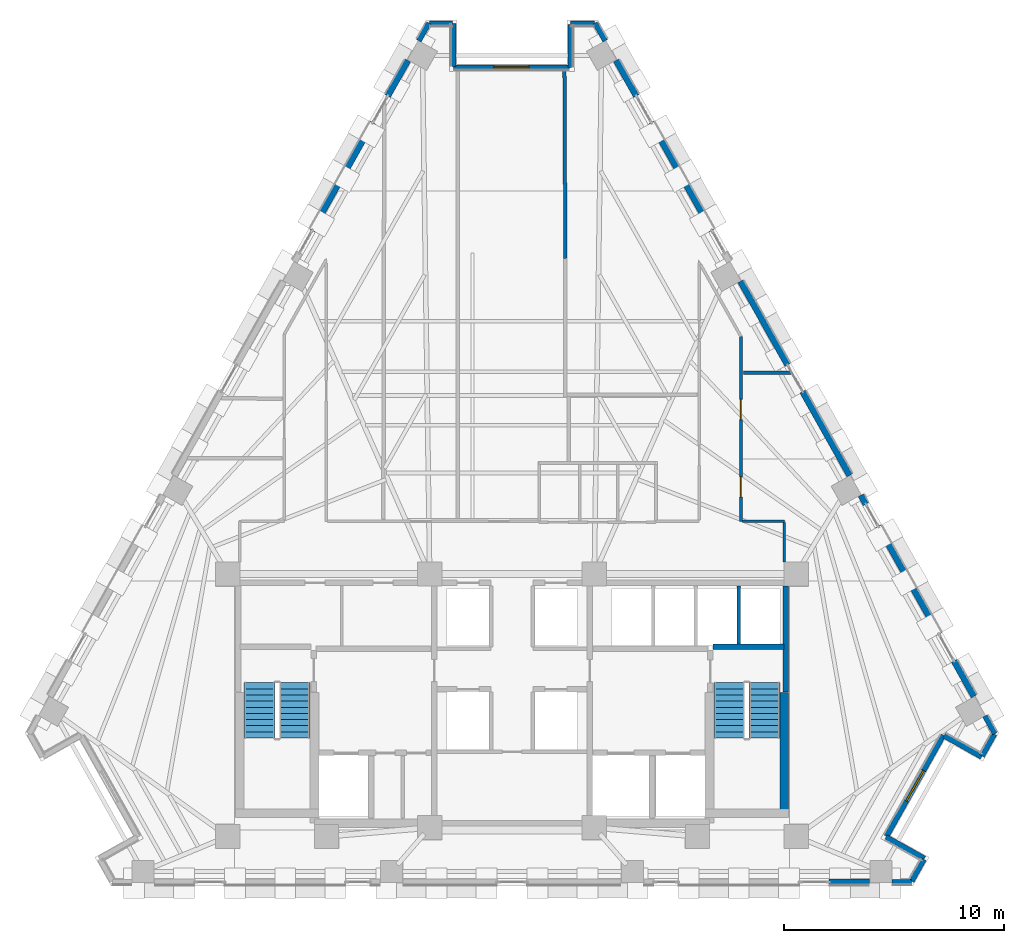
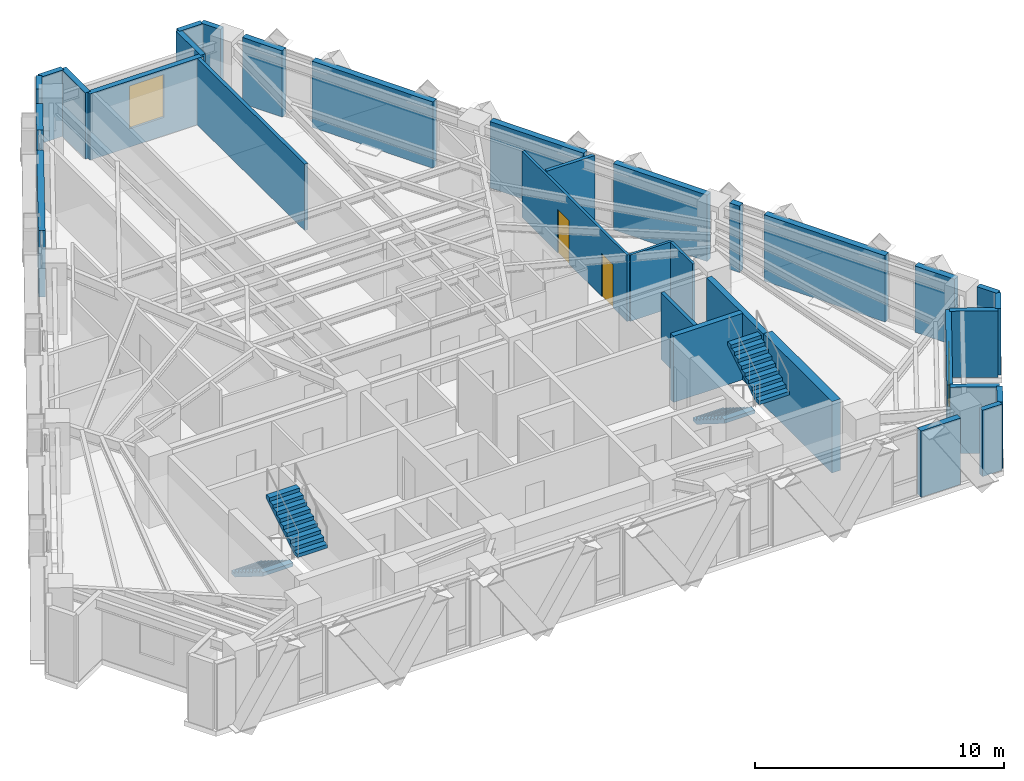
# One storey, part 9 of 13: 33 walls, 4 stair flights, 2 doors, 2 windows, 4 openings, 2 elements without a shape of their own.
"""IFC4 building model written with IfcOpenShell, lengths in metres."""

import ifcopenshell
import ifcopenshell.guid

model = None  # the IFC model being written
_history = None  # IfcOwnerHistory: only IFC2X3 demands one
_inside = {}  # id of a spatial element -> (the spatial element, [elements in it])
_under = {}  # id of a project, library or spatial element -> (it, [spatial elements below it])
_declared = {}  # id of a project -> (the project, [libraries it declares])
_typed = {}  # id of a type object -> (the type object, [elements of that type])
_made_of = {}  # id of a material, layer set ... -> (it, [elements and type objects made of it])


def new_model(schema):
    """Start an empty IFC model of exactly this schema.

    Asked for "IFC4X3", IfcOpenShell would pick the latest addendum, in which some entities
    have other attributes; the version numbers below select the first issue.
    IFC2X3 requires an IfcOwnerHistory on every rooted entity: one is made here for all.
    """
    global model, _history
    if schema == "IFC4X3":
        model = ifcopenshell.file(schema_version=(4, 3, 0, 0))
    else:
        model = ifcopenshell.file(schema=schema)
    _inside.clear()
    _under.clear()
    _declared.clear()
    _typed.clear()
    _made_of.clear()
    _history = None
    if model.schema == "IFC2X3":
        org = make("IfcOrganization", Name="unknown")
        user = make(
            "IfcPersonAndOrganization",
            ThePerson=make("IfcPerson", FamilyName="unknown"),
            TheOrganization=org,
        )
        app = make(
            "IfcApplication",
            ApplicationDeveloper=org,
            Version="unknown",
            ApplicationFullName="unknown",
            ApplicationIdentifier="unknown",
        )
        _history = make(
            "IfcOwnerHistory",
            OwningUser=user,
            OwningApplication=app,
            ChangeAction="ADDED",
            CreationDate=0,
        )
    return model


def make(cls, **values):
    """One entity of the class cls with the attributes given. An attribute that is None is left unset."""
    return model.create_entity(
        cls, **{name: value for name, value in values.items() if value is not None}
    )


def rooted(cls, **values):
    """An entity with a GlobalId (a new one), such as an element, a storey or a relation."""
    return make(cls, GlobalId=ifcopenshell.guid.new(), OwnerHistory=_history, **values)


def si_unit(unit_type, name, prefix=None):
    """IfcSIUnit, for example si_unit("LENGTHUNIT", "METRE", prefix="MILLI")."""
    return make("IfcSIUnit", UnitType=unit_type, Prefix=prefix, Name=name)


def assignment(units):
    """IfcUnitAssignment: the units of a project."""
    return None if units is None else make("IfcUnitAssignment", Units=units)


def point(xyz):
    """IfcCartesianPoint."""
    return None if xyz is None else make("IfcCartesianPoint", Coordinates=xyz)


def direction(xyz):
    """IfcDirection."""
    return None if xyz is None else make("IfcDirection", DirectionRatios=xyz)


def frame(location, z_axis=None, x_axis=None):
    """IfcAxis2Placement3D, a coordinate frame: its origin and axes. An axis left out is left unset."""
    return make(
        "IfcAxis2Placement3D",
        Location=point(location),
        Axis=direction(z_axis),
        RefDirection=direction(x_axis),
    )


def frame_2d(location, x_axis=None):
    """IfcAxis2Placement2D, a coordinate frame in the plane: its origin and x axis."""
    return make(
        "IfcAxis2Placement2D", Location=point(location), RefDirection=direction(x_axis)
    )


def origin():
    """The frame at (0, 0, 0) with its axes left unset."""
    return frame((0.0, 0.0, 0.0))


def place(relative_to, where):
    """IfcLocalPlacement: puts the frame where relative to a parent placement (None: the world)."""
    return make(
        "IfcLocalPlacement", PlacementRelTo=relative_to, RelativePlacement=where
    )


def context(
    kind, dimensions, precision=None, world=None, true_north=None, identifier=None
):
    """IfcGeometricRepresentationContext, for example the 3D "Model" context."""
    return make(
        "IfcGeometricRepresentationContext",
        ContextIdentifier=identifier,
        ContextType=kind,
        CoordinateSpaceDimension=dimensions,
        Precision=precision,
        WorldCoordinateSystem=world,
        TrueNorth=true_north,
    )


def subcontext(parent, identifier, kind, view, scale=None):
    """IfcGeometricRepresentationSubContext, for example "Body" below "Model"."""
    return make(
        "IfcGeometricRepresentationSubContext",
        ContextIdentifier=identifier,
        ContextType=kind,
        ParentContext=parent,
        TargetScale=scale,
        TargetView=view,
    )


def project(units=None, contexts=None):
    """IfcProject with its units and contexts."""
    return rooted(
        "IfcProject",
        Name="project",
        RepresentationContexts=contexts,
        UnitsInContext=assignment(units),
    )


def spatial(cls, under=None, at=None, **own):
    """A site, building, storey or space (cls), placed at a placement, below another one or the project."""
    s = rooted(cls, ObjectPlacement=at, **own)
    if under is not None:
        _under.setdefault(under.id(), (under, []))[1].append(s)
    return s


def polyline(points):
    """IfcPolyline through the points."""
    return make("IfcPolyline", Points=[point(p) for p in points])


def profile(cls, at=None, kind="AREA", **sizes):
    """A parametric profile (cls). Its sizes go by their IFC names, for example OverallWidth=200.0."""
    return make(cls, ProfileType=kind, Position=at, **sizes)


def rectangle(**sizes):
    """IfcRectangleProfileDef."""
    return profile("IfcRectangleProfileDef", **sizes)


def outline(outer, holes=None, kind="AREA"):
    """IfcArbitraryClosedProfileDef: a profile drawn as a closed curve; with holes, ...WithVoids."""
    if holes is None:
        return make("IfcArbitraryClosedProfileDef", ProfileType=kind, OuterCurve=outer)
    return make(
        "IfcArbitraryProfileDefWithVoids",
        ProfileType=kind,
        OuterCurve=outer,
        InnerCurves=holes,
    )


def extrude(swept, where, along, depth):
    """IfcExtrudedAreaSolid: the profile swept, set in the frame where, extruded along a direction by depth."""
    return make(
        "IfcExtrudedAreaSolid",
        SweptArea=swept,
        Position=where,
        ExtrudedDirection=direction(along),
        Depth=depth,
    )


def shape(context_of_items, identifier, shape_type, items):
    """IfcShapeRepresentation: the items that make up one representation, for example the "Body"."""
    return make(
        "IfcShapeRepresentation",
        ContextOfItems=context_of_items,
        RepresentationIdentifier=identifier,
        RepresentationType=shape_type,
        Items=items,
    )


def material(Name=None, Category=None):
    """IfcMaterial."""
    return make("IfcMaterial", Name=Name, Category=Category)


def layer(
    of_material, thickness, ventilated=None, Name=None, Category=None, Priority=None
):
    """IfcMaterialLayer: one layer of a wall or slab, of a material (None: an air gap)."""
    return make(
        "IfcMaterialLayer",
        Material=of_material,
        LayerThickness=thickness,
        IsVentilated=ventilated,
        Name=Name,
        Category=Category,
        Priority=Priority,
    )


def layer_set(layers, Name=None):
    """IfcMaterialLayerSet."""
    return make("IfcMaterialLayerSet", MaterialLayers=layers, LayerSetName=Name)


def made_of(thing, what):
    """Note that an element or type object is made of a material, layer set ...; save() writes the relation."""
    if what is not None:
        _made_of.setdefault(what.id(), (what, []))[1].append(thing)
    return thing


def type_object(cls, material=None, **own):
    """A type object (cls), such as IfcWallType, which elements share."""
    return made_of(rooted(cls, **own), material)


def element(
    cls,
    number,
    at=None,
    inside=None,
    cuts=None,
    type_object=None,
    material=None,
    context=None,
    identifier="Body",
    shape_type=None,
    held_by="IfcProductDefinitionShape",
    body=None,
    shapes=None,
    **own,
):
    """One element of the class cls, such as IfcWall. Its Tag is "e" and its number.

    at: its placement. inside: the storey or other place that contains it. cuts: it is an
    opening in that element (IfcRelVoidsElement). A single representation is given by context,
    identifier, shape_type and body (its items); several are given by shapes. held_by: the class
    of the entity that holds the representations. save() writes the other relations.
    """
    e = rooted(cls, Tag="e%d" % number, ObjectPlacement=at, **own)
    if body is not None:
        shapes = [shape(context, identifier, shape_type, body)]
    if shapes is not None:
        e.Representation = make(held_by, Representations=shapes)
    if inside is not None:
        _inside.setdefault(inside.id(), (inside, []))[1].append(e)
    if cuts is not None:
        rooted(
            "IfcRelVoidsElement", RelatingBuildingElement=cuts, RelatedOpeningElement=e
        )
    if type_object is not None:
        _typed.setdefault(type_object.id(), (type_object, []))[1].append(e)
    return made_of(e, material)


def fill(opening, filler):
    """IfcRelFillsElement: the door or window that sits in an opening."""
    return rooted(
        "IfcRelFillsElement",
        RelatingOpeningElement=opening,
        RelatedBuildingElement=filler,
    )


def aggregate(whole, parts):
    """IfcRelAggregates: a whole, such as a stair, and the parts it consists of."""
    return rooted("IfcRelAggregates", RelatingObject=whole, RelatedObjects=parts)


def save(model, path):
    """Write the relations noted so far, then the file.

    IfcRelAggregates (storeys below a building ...), IfcRelContainedInSpatialStructure (elements
    in a storey), IfcRelDefinesByType, IfcRelAssociatesMaterial and IfcRelDeclares: one each for
    every whole, place, type object, material and project.
    """
    for whole, parts in _under.values():
        aggregate(whole, parts)
    for where, things in _inside.values():
        rooted(
            "IfcRelContainedInSpatialStructure",
            RelatedElements=things,
            RelatingStructure=where,
        )
    for kind, things in _typed.values():
        rooted("IfcRelDefinesByType", RelatedObjects=things, RelatingType=kind)
    for what, things in _made_of.values():
        rooted("IfcRelAssociatesMaterial", RelatedObjects=things, RelatingMaterial=what)
    for by, libraries in _declared.values():
        rooted("IfcRelDeclares", RelatingContext=by, RelatedDefinitions=libraries)
    model.write(path)


model = new_model("IFC4")

# Units and contexts
model_context = context("Model", 3, precision=1e-05, world=origin(), true_north=direction((0.0, 1.0)))
body_context = subcontext(model_context, "Body", "Model", "MODEL_VIEW")
ifc_project = project(units=[si_unit("LENGTHUNIT", "METRE"), si_unit("AREAUNIT", "SQUARE_METRE"), si_unit("VOLUMEUNIT", "CUBIC_METRE"), si_unit("PLANEANGLEUNIT", "RADIAN"), si_unit("MASSUNIT", "GRAM", prefix="KILO")], contexts=[model_context])

# Site, building, storey
site_placement = place(None, origin())
site = spatial("IfcSite", under=ifc_project, at=site_placement, CompositionType="ELEMENT")
building_placement = place(site_placement, origin())
building = spatial("IfcBuilding", under=site, at=building_placement, Name="Quenlor Broadcast Tower", CompositionType="ELEMENT")
storey_placement = place(building_placement, frame((0.0, 0.0, 172.0)))
storey = spatial("IfcBuildingStorey", under=building, at=storey_placement, Name="L47", CompositionType="ELEMENT", Elevation=172.0)

# Walls
ifc_material_1 = material(Name="Concrete C50/60", Category="concrete")
ifc_layer_1 = layer(ifc_material_1, 0.39990234375)
ifc_layer_set_1 = layer_set([ifc_layer_1], Name="Core Concrete C50/60 Shear Wall 400")
wall_type_1 = type_object("IfcWallType", Name="Core Concrete C50/60 Shear Wall 400", PredefinedType="SHEAR", material=ifc_layer_set_1)
wall_1_placement = place(storey_placement, frame((12.39990234375, -15.699951171875, 0.0), z_axis=(0.0, 0.0, 1.0), x_axis=(0.0, 1.0, 0.0)))
element("IfcWall", 1, at=wall_1_placement, inside=storey, type_object=wall_type_1, Name="L47 Core Shear Wall WF-E", PredefinedType="SHEAR", context=body_context, shape_type="SweptSolid", body=[
    extrude(rectangle(XDim=5.5, YDim=0.39990234375, at=frame_2d((2.75, 0.0))), origin(), (0.0, 0.0, 1.0), 3.5),
])
ifc_material_2 = material(Name="Concrete C40/50", Category="concrete")
ifc_layer_2 = layer(ifc_material_2, 0.25)
ifc_layer_set_2 = layer_set([ifc_layer_2], Name="Fire Rated Concrete C40/50 Core Wall 250")
wall_type_2 = type_object("IfcWallType", Name="Fire Rated Concrete C40/50 Core Wall 250", PredefinedType="PARTITIONING", material=ifc_layer_set_2)
wall_2_placement = place(storey_placement, frame((9.159912109375, -8.1201171875, 0.0), z_axis=(0.0, 0.0, 1.0), x_axis=(1.0, 0.0, 0.0)))
element("IfcWall", 2, at=wall_2_placement, inside=storey, type_object=wall_type_2, Name="L47 Interior Wall CW-ST2-N", PredefinedType="PARTITIONING", context=body_context, shape_type="SweptSolid", body=[
    extrude(rectangle(XDim=3.219970703125, YDim=0.25, at=frame_2d((1.60986328125, 0.0))), origin(), (0.0, 0.0, 1.0), 3.25),
])
wall_3_placement = place(storey_placement, frame((12.47998046875, -10.179931640625, 0.0), z_axis=(0.0, 0.0, 1.0), x_axis=(0.0, 1.0, 0.0)))
element("IfcWall", 3, at=wall_3_placement, inside=storey, type_object=wall_type_2, Name="L47 Interior Wall CW-ST2-E2", PredefinedType="PARTITIONING", context=body_context, shape_type="SweptSolid", body=[
    extrude(rectangle(XDim=4.827880859375, YDim=0.25, at=frame_2d((2.4140625, 0.0))), origin(), (0.0, 0.0, 1.0), 3.25),
])
ifc_material_3 = material(Name="Gypsum Fireboard Partition", Category="other")
ifc_layer_3 = layer(ifc_material_3, 0.159912109375)
ifc_layer_set_3 = layer_set([ifc_layer_3], Name="Fire Rated Shaft and Corridor Partition 160")
wall_type_3 = type_object("IfcWallType", Name="Fire Rated Shaft and Corridor Partition 160", PredefinedType="PARTITIONING", material=ifc_layer_set_3)
wall_4_placement = place(storey_placement, frame((10.324951171875, -7.992919921875, 0.0), z_axis=(0.0, 0.0, 1.0), x_axis=(0.0, 1.0, 0.0)))
element("IfcWall", 4, at=wall_4_placement, inside=storey, type_object=wall_type_3, Name="L47 Interior Wall CW-PLH-D3", PredefinedType="PARTITIONING", context=body_context, shape_type="SweptSolid", body=[
    extrude(rectangle(XDim=2.65283203125, YDim=0.159912109375, at=frame_2d((1.326416015625, 0.0))), origin(), (0.0, 0.0, 1.0), 3.25),
])
wall_5_placement = place(storey_placement, frame((2.430419921875, 9.58642578125, 0.0), z_axis=(0.0, 0.0, 1.0), x_axis=(-0.004699597763, 0.999988956829, 0.0)))
element("IfcWall", 5, at=wall_5_placement, inside=storey, type_object=wall_type_3, Name="L47 Interior Wall PW-DV-01", PredefinedType="PARTITIONING", context=body_context, shape_type="SweptSolid", body=[
    extrude(rectangle(XDim=8.571533203125, YDim=0.159912109375, at=frame_2d((4.28564453125, 0.0))), origin(), (0.0, 0.0, 1.0), 3.25),
])
wall_6_placement = place(storey_placement, frame((12.753662109375, 4.3798828125, 0.0), z_axis=(0.0, 0.0, 1.0), x_axis=(-1.0, 0.0, 0.0)))
element("IfcWall", 6, at=wall_6_placement, inside=storey, type_object=wall_type_3, Name="L47 Interior Wall PW-DV-03", PredefinedType="PARTITIONING", context=body_context, shape_type="SweptSolid", body=[
    extrude(rectangle(XDim=2.213623046875, YDim=0.159912109375, at=frame_2d((1.10693359375, 0.0))), origin(), (0.0, 0.0, 1.0), 3.25),
])

# Wall, openings, doors
ifc_material_4 = material(Name="Gypsum Plasterboard Partition", Category="other")
ifc_layer_4 = layer(ifc_material_4, 0.1201171875)
ifc_layer_set_4 = layer_set([ifc_layer_4], Name="Standard Office Partition 120")
wall_type_4 = type_object("IfcWallType", Name="Standard Office Partition 120", PredefinedType="PARTITIONING", material=ifc_layer_set_4)
wall_7_placement = place(storey_placement, frame((10.429931640625, 6.020263671875, 0.0), z_axis=(0.0, 0.0, 1.0), x_axis=(0.0, -1.0, 0.0)))
wall_7 = element("IfcWall", 7, at=wall_7_placement, inside=storey, type_object=wall_type_4, Name="L47 Interior Wall PW-CR-09", PredefinedType="PARTITIONING", context=body_context, shape_type="SweptSolid", body=[
    extrude(rectangle(XDim=8.420166015625, YDim=0.1201171875, at=frame_2d((4.2099609375, 0.0))), origin(), (0.0, 0.0, 1.0), 3.25),
])
opening_1_placement = place(wall_7_placement, frame((2.861083984375, 0.0, 0.0)))
opening_1 = element("IfcOpeningElement", 8, at=opening_1_placement, cuts=wall_7, Name="Opening ID-1", PredefinedType="OPENING", context=body_context, shape_type="SweptSolid", body=[
    extrude(rectangle(XDim=0.919921875, YDim=2.1201171875, at=frame_2d((0.4599609375, 1.06005859375))), frame((0.0, 0.070068359375, 0.0), z_axis=(0.0, -1.0, 0.0), x_axis=(1.0, 0.0, 0.0)), (0.0, 0.0, 1.0), 0.14013671875),
])
opening_2_placement = place(wall_7_placement, frame((6.39208984375, 0.0, 0.0)))
opening_2 = element("IfcOpeningElement", 9, at=opening_2_placement, cuts=wall_7, Name="Opening ID-1", PredefinedType="OPENING", context=body_context, shape_type="SweptSolid", body=[
    extrude(rectangle(XDim=0.919921875, YDim=2.1201171875, at=frame_2d((0.4599609375, 1.06005859375))), frame((0.0, 0.070068359375, 0.0), z_axis=(0.0, -1.0, 0.0), x_axis=(1.0, 0.0, 0.0)), (0.0, 0.0, 1.0), 0.14013671875),
])
ifc_material_5 = material(Name="Solid Core Timber Oak", Category="wood")
door_type = type_object("IfcDoorType", Name="Single Leaf Timber Office Door 920x2120", OperationType="NOTDEFINED", PredefinedType="DOOR", material=ifc_material_5)
door_1_placement = place(opening_1_placement, origin())
door_1 = element("IfcDoor", 10, at=door_1_placement, inside=storey, type_object=door_type, Name="L47 Door DR-RM05", OperationType="SINGLE_SWING_LEFT", OverallHeight=2.1201171875, OverallWidth=0.919921875, PredefinedType="DOOR", context=body_context, shape_type="SweptSolid", body=[
    extrude(rectangle(XDim=0.919921875, YDim=2.1201171875, at=frame_2d((0.4599609375, 1.06005859375))), frame((0.0, 0.02490234375, 0.0), z_axis=(0.0, -1.0, 0.0), x_axis=(1.0, 0.0, 0.0)), (0.0, 0.0, 1.0), 0.050048828125),
])
fill(opening_1, door_1)
door_2_placement = place(opening_2_placement, origin())
door_2 = element("IfcDoor", 11, at=door_2_placement, inside=storey, type_object=door_type, Name="L47 Door DR-RM08", OperationType="SINGLE_SWING_RIGHT", OverallHeight=2.1201171875, OverallWidth=0.919921875, PredefinedType="DOOR", context=body_context, shape_type="SweptSolid", body=[
    extrude(rectangle(XDim=0.919921875, YDim=2.1201171875, at=frame_2d((0.4599609375, 1.06005859375))), frame((0.0, 0.02490234375, 0.0), z_axis=(0.0, -1.0, 0.0), x_axis=(1.0, 0.0, 0.0)), (0.0, 0.0, 1.0), 0.050048828125),
])
fill(opening_2, door_2)

# Walls
wall_8_placement = place(storey_placement, frame((10.491943359375, -2.39990234375, 0.0), z_axis=(0.0, 0.0, 1.0), x_axis=(1.0, 0.0, 0.0)))
element("IfcWall", 12, at=wall_8_placement, inside=storey, type_object=wall_type_4, Name="L47 Interior Wall PW-CR-10", PredefinedType="PARTITIONING", context=body_context, shape_type="SweptSolid", body=[
    extrude(rectangle(XDim=1.91796875, YDim=0.1201171875, at=frame_2d((0.958984375, 0.0))), origin(), (0.0, 0.0, 1.0), 3.25),
])
wall_9_placement = place(storey_placement, frame((12.409912109375, -2.4619140625, 0.0), z_axis=(0.0, 0.0, 1.0), x_axis=(0.0, -1.0, 0.0)))
element("IfcWall", 13, at=wall_9_placement, inside=storey, type_object=wall_type_4, Name="L47 Interior Wall PW-CR-11", PredefinedType="PARTITIONING", context=body_context, shape_type="SweptSolid", body=[
    extrude(rectangle(XDim=1.7861328125, YDim=0.1201171875, at=frame_2d((0.89306640625, 0.0))), origin(), (0.0, 0.0, 1.0), 3.25),
])
ifc_material_6 = material(Name="Precast concrete C40/50", Category="concrete")
ifc_layer_5 = layer(ifc_material_6, 0.239990234375)
ifc_layer_set_5 = layer_set([ifc_layer_5], Name="Terrace Threshold Precast Concrete C40/50 Wall 240")
wall_type_5 = type_object("IfcWallType", Name="Terrace Threshold Precast Concrete C40/50 Wall 240", PredefinedType="STANDARD", material=ifc_layer_set_5)
wall_10_placement = place(storey_placement, frame((18.2099609375, -18.824951171875, 0.0), z_axis=(0.0, 0.0, 1.0), x_axis=(-1.0, 0.0, 0.0)))
element("IfcWall", 14, at=wall_10_placement, inside=storey, type_object=wall_type_5, Name="L47 Exterior Wall L47-SHD-SS0", PredefinedType="STANDARD", context=body_context, shape_type="SweptSolid", body=[
    extrude(rectangle(XDim=0.896484375, YDim=0.239990234375, at=frame_2d((0.4482421875, 0.0))), origin(), (0.0, 0.0, 1.0), 3.25),
])
wall_11_placement = place(storey_placement, frame((3.7919921875, 20.302001953125, 0.0), z_axis=(0.0, 0.0, 1.0), x_axis=(0.490048346303, -0.871695255399, 0.0)))
element("IfcWall", 15, at=wall_11_placement, inside=storey, type_object=wall_type_5, Name="L47 Exterior Wall L47-SHD-NES0", PredefinedType="STANDARD", context=body_context, shape_type="SweptSolid", body=[
    extrude(rectangle(XDim=0.925537109375, YDim=0.239990234375, at=frame_2d((0.462890625, 0.0))), origin(), (0.0, 0.0, 1.0), 3.25),
])
wall_12_placement = place(storey_placement, frame((21.54931640625, -11.2666015625, 0.0), z_axis=(0.0, 0.0, 1.0), x_axis=(0.490248718924, -0.871582579905, 0.0)))
element("IfcWall", 16, at=wall_12_placement, inside=storey, type_object=wall_type_5, Name="L47 Exterior Wall L47-SHD-NES1", PredefinedType="STANDARD", context=body_context, shape_type="SweptSolid", body=[
    extrude(rectangle(XDim=0.92578125, YDim=0.239990234375, at=frame_2d((0.462890625, 0.0))), origin(), (0.0, 0.0, 1.0), 3.25),
])
wall_13_placement = place(storey_placement, frame((-4.24560546875, 19.4951171875, 0.0), z_axis=(0.0, 0.0, 1.0), x_axis=(0.490048346303, 0.871695255399, 0.0)))
element("IfcWall", 17, at=wall_13_placement, inside=storey, type_object=wall_type_5, Name="L47 Exterior Wall L47-SHD-NWS1", PredefinedType="STANDARD", context=body_context, shape_type="SweptSolid", body=[
    extrude(rectangle(XDim=0.925537109375, YDim=0.239990234375, at=frame_2d((0.462890625, 0.0))), origin(), (0.0, 0.0, 1.0), 3.25),
])
wall_14_placement = place(storey_placement, frame((18.783935546875, -17.760009765625, 0.0), z_axis=(0.0, 0.0, 1.0), x_axis=(-0.871536415941, 0.49033078191, 0.0)))
element("IfcWall", 18, at=wall_14_placement, inside=storey, type_object=wall_type_5, Name="L47 Exterior Wall L47-CNR-01", PredefinedType="STANDARD", context=body_context, shape_type="SweptSolid", body=[
    extrude(rectangle(XDim=2.0, YDim=0.239990234375, at=frame_2d((1.0, 0.0))), origin(), (0.0, 0.0, 1.0), 3.25),
])

# Wall, opening, window
wall_15_placement = place(storey_placement, frame((17.060302734375, -16.744384765625, 0.0), z_axis=(0.0, 0.0, 1.0), x_axis=(0.490276606961, 0.871566892824, 0.0)))
wall_15 = element("IfcWall", 19, at=wall_15_placement, inside=storey, type_object=wall_type_5, Name="L47 Exterior Wall L47-CNR-02", PredefinedType="STANDARD", context=body_context, shape_type="SweptSolid", body=[
    extrude(rectangle(XDim=5.280029296875, YDim=0.239990234375, at=frame_2d((2.64013671875, 0.0))), origin(), (0.0, 0.0, 1.0), 3.25),
])
opening_3_placement = place(wall_15_placement, frame((1.840087890625, 0.0, 0.89990234375)))
opening_3 = element("IfcOpeningElement", 20, at=opening_3_placement, cuts=wall_15, Name="Opening WN-2", PredefinedType="OPENING", context=body_context, shape_type="SweptSolid", body=[
    extrude(rectangle(XDim=1.60009765625, YDim=2.10009765625, at=frame_2d((0.800048828125, 1.050048828125))), frame((0.0, 0.1298828125, 0.0), z_axis=(0.0, -1.0, 0.0), x_axis=(1.0, 0.0, 0.0)), (0.0, 0.0, 1.0), 0.260009765625),
])
ifc_material_7 = material(Name="Thermally Broken Aluminium and Low-E Glass", Category="aluminium")
window_type = type_object("IfcWindowType", Name="Tower Studio Punched Window 1600x2100", PartitioningType="SINGLE_PANEL", PredefinedType="WINDOW", material=ifc_material_7)
window_1_placement = place(opening_3_placement, origin())
window_1 = element("IfcWindow", 21, at=window_1_placement, inside=storey, type_object=window_type, Name="L47 Corner Chamfer Window 2", OverallHeight=2.10009765625, OverallWidth=1.60009765625, PartitioningType="SINGLE_PANEL", PredefinedType="WINDOW", context=body_context, shape_type="SweptSolid", body=[
    extrude(rectangle(XDim=1.60009765625, YDim=2.10009765625, at=frame_2d((0.800048828125, 1.050048828125))), frame((0.0, 0.030029296875, 0.0), z_axis=(0.0, -1.0, 0.0), x_axis=(1.0, 0.0, 0.0)), (0.0, 0.0, 1.0), 0.06005859375),
])
fill(opening_3, window_1)

# Walls
wall_16_placement = place(storey_placement, frame((19.683837890625, -12.162109375, 0.0), z_axis=(0.0, 0.0, 1.0), x_axis=(0.871512328312, -0.490373593906, 0.0)))
element("IfcWall", 22, at=wall_16_placement, inside=storey, type_object=wall_type_5, Name="L47 Exterior Wall L47-CNR-03", PredefinedType="STANDARD", context=body_context, shape_type="SweptSolid", body=[
    extrude(rectangle(XDim=1.960205078125, YDim=0.239990234375, at=frame_2d((0.97998046875, 0.0))), origin(), (0.0, 0.0, 1.0), 3.25),
])
wall_17_placement = place(storey_placement, frame((21.411865234375, -13.08837890625, 0.0), z_axis=(0.0, 0.0, 1.0), x_axis=(0.4900989379, 0.871666811958, 0.0)))
element("IfcWall", 23, at=wall_17_placement, inside=storey, type_object=wall_type_5, Name="L47 Exterior Wall L47-CNR-04", PredefinedType="STANDARD", context=body_context, shape_type="SweptSolid", body=[
    extrude(rectangle(XDim=1.142822265625, YDim=0.239990234375, at=frame_2d((0.5712890625, 0.0))), origin(), (0.0, 0.0, 1.0), 3.25),
])
wall_18_placement = place(storey_placement, frame((3.761474609375, 20.280029296875, 0.0), z_axis=(0.0, 0.0, 1.0), x_axis=(-1.0, 0.0, 0.0)))
element("IfcWall", 24, at=wall_18_placement, inside=storey, type_object=wall_type_5, Name="L47 Exterior Wall L47-CNR-06", PredefinedType="STANDARD", context=body_context, shape_type="SweptSolid", body=[
    extrude(rectangle(XDim=1.1015625, YDim=0.239990234375, at=frame_2d((0.55078125, 0.0))), origin(), (0.0, 0.0, 1.0), 3.25),
])
wall_19_placement = place(storey_placement, frame((2.659912109375, 20.239990234375, 0.0), z_axis=(0.0, 0.0, 1.0), x_axis=(0.0, -1.0, 0.0)))
element("IfcWall", 25, at=wall_19_placement, inside=storey, type_object=wall_type_5, Name="L47 Exterior Wall L47-CNR-07", PredefinedType="STANDARD", context=body_context, shape_type="SweptSolid", body=[
    extrude(rectangle(XDim=1.9599609375, YDim=0.239990234375, at=frame_2d((0.97998046875, 0.0))), origin(), (0.0, 0.0, 1.0), 3.25),
])

# Wall, opening, window
wall_20_placement = place(storey_placement, frame((2.6201171875, 18.280029296875, 0.0), z_axis=(0.0, 0.0, 1.0), x_axis=(-1.0, 0.0, 0.0)))
wall_20 = element("IfcWall", 26, at=wall_20_placement, inside=storey, type_object=wall_type_5, Name="L47 Exterior Wall L47-CNR-08", PredefinedType="STANDARD", context=body_context, shape_type="SweptSolid", body=[
    extrude(rectangle(XDim=5.280029296875, YDim=0.239990234375, at=frame_2d((2.64013671875, 0.0))), origin(), (0.0, 0.0, 1.0), 3.25),
])
opening_4_placement = place(wall_20_placement, frame((1.840087890625, 0.0, 0.89990234375)))
opening_4 = element("IfcOpeningElement", 27, at=opening_4_placement, cuts=wall_20, Name="Opening WN-2", PredefinedType="OPENING", context=body_context, shape_type="SweptSolid", body=[
    extrude(rectangle(XDim=1.60009765625, YDim=2.10009765625, at=frame_2d((0.800048828125, 1.050048828125))), frame((0.0, 0.1298828125, 0.0), z_axis=(0.0, -1.0, 0.0), x_axis=(1.0, 0.0, 0.0)), (0.0, 0.0, 1.0), 0.260009765625),
])
window_2_placement = place(opening_4_placement, origin())
window_2 = element("IfcWindow", 28, at=window_2_placement, inside=storey, type_object=window_type, Name="L47 Corner Chamfer Window 8", OverallHeight=2.10009765625, OverallWidth=1.60009765625, PartitioningType="SINGLE_PANEL", PredefinedType="WINDOW", context=body_context, shape_type="SweptSolid", body=[
    extrude(rectangle(XDim=1.60009765625, YDim=2.10009765625, at=frame_2d((0.800048828125, 1.050048828125))), frame((0.0, 0.030029296875, 0.0), z_axis=(0.0, -1.0, 0.0), x_axis=(1.0, 0.0, 0.0)), (0.0, 0.0, 1.0), 0.06005859375),
])
fill(opening_4, window_2)

# Walls
wall_21_placement = place(storey_placement, frame((-2.659912109375, 18.320068359375, 0.0), z_axis=(0.0, 0.0, 1.0), x_axis=(0.0, 1.0, 0.0)))
element("IfcWall", 29, at=wall_21_placement, inside=storey, type_object=wall_type_5, Name="L47 Exterior Wall L47-CNR-09", PredefinedType="STANDARD", context=body_context, shape_type="SweptSolid", body=[
    extrude(rectangle(XDim=1.9599609375, YDim=0.239990234375, at=frame_2d((0.97998046875, 0.0))), origin(), (0.0, 0.0, 1.0), 3.25),
])
wall_22_placement = place(storey_placement, frame((-2.699951171875, 20.280029296875, 0.0), z_axis=(0.0, 0.0, 1.0), x_axis=(-1.0, 0.0, 0.0)))
element("IfcWall", 30, at=wall_22_placement, inside=storey, type_object=wall_type_5, Name="L47 Exterior Wall L47-CNR-10", PredefinedType="STANDARD", context=body_context, shape_type="SweptSolid", body=[
    extrude(rectangle(XDim=1.0615234375, YDim=0.239990234375, at=frame_2d((0.53076171875, 0.0))), origin(), (0.0, 0.0, 1.0), 3.25),
])
wall_23_placement = place(storey_placement, frame((18.205810546875, -18.78759765625, 0.0), z_axis=(0.0, 0.0, 1.0), x_axis=(0.490403700594, 0.871495387506, 0.0)))
element("IfcWall", 31, at=wall_23_placement, inside=storey, type_object=wall_type_5, Name="L47 Exterior Wall L47-CNR-18", PredefinedType="STANDARD", context=body_context, shape_type="SweptSolid", body=[
    extrude(rectangle(XDim=1.13916015625, YDim=0.239990234375, at=frame_2d((0.569580078125, 0.0))), origin(), (0.0, 0.0, 1.0), 3.25),
])
ifc_material_8 = material(Name="Precast concrete C40/50", Category="concrete")
ifc_layer_6 = layer(ifc_material_8, 0.280029296875)
ifc_layer_set_6 = layer_set([ifc_layer_6], Name="Terracotta Precast Concrete C40/50 Facade Wall 280")
wall_type_6 = type_object("IfcWallType", Name="Terracotta Precast Concrete C40/50 Facade Wall 280", PredefinedType="STANDARD", material=ifc_layer_set_6)
wall_24_placement = place(storey_placement, frame((16.283447265625, -18.824951171875, 0.0), z_axis=(0.0, 0.0, 1.0), x_axis=(-1.0, 0.0, 0.0)))
element("IfcWall", 32, at=wall_24_placement, inside=storey, type_object=wall_type_6, Name="L47 Exterior Wall L47-SA-SP1", PredefinedType="STANDARD", context=body_context, shape_type="SweptSolid", body=[
    extrude(rectangle(XDim=1.83837890625, YDim=0.280029296875, at=frame_2d((0.919189453125, 0.0))), origin(), (0.0, 0.0, 1.0), 3.25),
])
wall_25_placement = place(storey_placement, frame((4.750732421875, 18.597412109375, 0.0), z_axis=(0.0, 0.0, 1.0), x_axis=(0.490248749158, -0.871582562899, 0.0)))
element("IfcWall", 33, at=wall_25_placement, inside=storey, type_object=wall_type_6, Name="L47 Exterior Wall L47-NEA-SP1", PredefinedType="STANDARD", context=body_context, shape_type="SweptSolid", body=[
    extrude(rectangle(XDim=1.85595703125, YDim=0.280029296875, at=frame_2d((0.927978515625, 0.0))), origin(), (0.0, 0.0, 1.0), 3.25),
])
wall_26_placement = place(storey_placement, frame((6.342041015625, 15.768310546875, 0.0), z_axis=(0.0, 0.0, 1.0), x_axis=(0.490289995219, -0.871559361483, 0.0)))
element("IfcWall", 34, at=wall_26_placement, inside=storey, type_object=wall_type_6, Name="L47 Exterior Wall L47-NEA-SP2", PredefinedType="STANDARD", context=body_context, shape_type="SweptSolid", body=[
    extrude(rectangle(XDim=5.643310546875, YDim=0.280029296875, at=frame_2d((2.82177734375, 0.0))), origin(), (0.0, 0.0, 1.0), 3.25),
])
wall_27_placement = place(storey_placement, frame((15.8955078125, -1.21533203125, 0.0), z_axis=(0.0, 0.0, 1.0), x_axis=(0.490009165718, -0.871717280724, 0.0)))
element("IfcWall", 35, at=wall_27_placement, inside=storey, type_object=wall_type_6, Name="L47 Exterior Wall L47-NEC-SP1", PredefinedType="STANDARD", context=body_context, shape_type="SweptSolid", body=[
    extrude(rectangle(XDim=0.4599609375, YDim=0.280029296875, at=frame_2d((0.22998046875, 0.0))), origin(), (0.0, 0.0, 1.0), 3.25),
])
wall_28_placement = place(storey_placement, frame((16.686279296875, -2.621337890625, 0.0), z_axis=(0.0, 0.0, 1.0), x_axis=(0.490238645956, -0.871588245682, 0.0)))
element("IfcWall", 36, at=wall_28_placement, inside=storey, type_object=wall_type_6, Name="L47 Exterior Wall L47-NEC-SP2", PredefinedType="STANDARD", context=body_context, shape_type="SweptSolid", body=[
    extrude(rectangle(XDim=5.643310546875, YDim=0.280029296875, at=frame_2d((2.82177734375, 0.0))), origin(), (0.0, 0.0, 1.0), 3.25),
])
wall_29_placement = place(storey_placement, frame((20.13427734375, -8.751220703125, 0.0), z_axis=(0.0, 0.0, 1.0), x_axis=(0.490248749158, -0.871582562899, 0.0)))
element("IfcWall", 37, at=wall_29_placement, inside=storey, type_object=wall_type_6, Name="L47 Exterior Wall L47-NEC-SP3", PredefinedType="STANDARD", context=body_context, shape_type="SweptSolid", body=[
    extrude(rectangle(XDim=1.85595703125, YDim=0.280029296875, at=frame_2d((0.927978515625, 0.0))), origin(), (0.0, 0.0, 1.0), 3.25),
])
wall_30_placement = place(storey_placement, frame((10.411865234375, 8.532958984375, 0.0), z_axis=(0.0, 0.0, 1.0), x_axis=(0.490274486291, -0.871568085747, 0.0)))
element("IfcWall", 38, at=wall_30_placement, inside=storey, type_object=wall_type_6, Name="L47 Exterior Wall L47-NE-SP1", PredefinedType="STANDARD", context=body_context, shape_type="SweptSolid", body=[
    extrude(rectangle(XDim=4.375244140625, YDim=0.280029296875, at=frame_2d((2.1875, 0.0))), origin(), (0.0, 0.0, 1.0), 3.25),
])
wall_31_placement = place(storey_placement, frame((13.23828125, 3.508544921875, 0.0), z_axis=(0.0, 0.0, 1.0), x_axis=(0.490232095789, -0.871591929895, 0.0)))
element("IfcWall", 39, at=wall_31_placement, inside=storey, type_object=wall_type_6, Name="L47 Exterior Wall L47-NE-SP2", PredefinedType="STANDARD", context=body_context, shape_type="SweptSolid", body=[
    extrude(rectangle(XDim=4.375, YDim=0.280029296875, at=frame_2d((2.1875, 0.0))), origin(), (0.0, 0.0, 1.0), 3.25),
])
wall_32_placement = place(storey_placement, frame((-9.10888671875, 10.849853515625, 0.0), z_axis=(0.0, 0.0, 1.0), x_axis=(0.490289995219, 0.871559361483, 0.0)))
element("IfcWall", 40, at=wall_32_placement, inside=storey, type_object=wall_type_6, Name="L47 Exterior Wall L47-NWC-SP2", PredefinedType="STANDARD", context=body_context, shape_type="SweptSolid", body=[
    extrude(rectangle(XDim=5.643310546875, YDim=0.280029296875, at=frame_2d((2.82177734375, 0.0))), origin(), (0.0, 0.0, 1.0), 3.25),
])
wall_33_placement = place(storey_placement, frame((-5.66064453125, 16.979736328125, 0.0), z_axis=(0.0, 0.0, 1.0), x_axis=(0.490248749158, 0.871582562899, 0.0)))
element("IfcWall", 41, at=wall_33_placement, inside=storey, type_object=wall_type_6, Name="L47 Exterior Wall L47-NWC-SP3", PredefinedType="STANDARD", context=body_context, shape_type="SweptSolid", body=[
    extrude(rectangle(XDim=1.85595703125, YDim=0.280029296875, at=frame_2d((0.927978515625, 0.0))), origin(), (0.0, 0.0, 1.0), 3.25),
])

# Stair, stair flights
ifc_material_9 = material(Name="Precast concrete C40/50", Category="concrete")
stair_type = type_object("IfcStairType", Name="Precast Concrete C40/50 Dogleg Stair H350", PredefinedType="HALF_TURN_STAIR", material=ifc_material_9)
stair_1_placement = place(storey_placement, origin())
stair_1 = element("IfcStair", 42, at=stair_1_placement, inside=storey, type_object=stair_type, Name="L47 West Core Fire-Isolated Exit Stair ST-1", PredefinedType="HALF_TURN_STAIR")
ifc_material_10 = material(Name="Precast concrete C40/50", Category="concrete")
ifc_layer_7 = layer(ifc_material_10, 0.159912109375)
ifc_layer_set_7 = layer_set([ifc_layer_7], Name="Precast Concrete C40/50 Stair Flight H350")
stair_flight_type = type_object("IfcStairFlightType", Name="Precast Concrete C40/50 Stair Flight H350", PredefinedType="STRAIGHT", material=ifc_layer_set_7)
stair_flight_1_placement = place(storey_placement, frame((-11.5, -9.75, 0.0), z_axis=(0.0, 0.0, 1.0), x_axis=(0.0, -1.0, 0.0)))
stair_flight_1 = element("IfcStairFlight", 43, at=stair_flight_1_placement, type_object=stair_flight_type, Name="ST-1 flight 1", NumberOfRisers=10, NumberOfTreads=9, PredefinedType="STRAIGHT", RiserHeight=0.175, TreadLength=0.28, context=body_context, shape_type="SweptSolid", body=[
    extrude(outline(polyline([(0.0, 0.0), (0.0, 0.175048828125), (0.280029296875, 0.175048828125), (0.280029296875, 0.35009765625), (0.56005859375, 0.35009765625), (0.56005859375, 0.52490234375), (0.840087890625, 0.52490234375), (0.840087890625, 0.699951171875), (1.1201171875, 0.699951171875), (1.1201171875, 0.875), (1.39990234375, 0.875), (1.39990234375, 1.050048828125), (1.679931640625, 1.050048828125), (1.679931640625, 1.22509765625), (1.9599609375, 1.22509765625), (1.9599609375, 1.39990234375), (2.239990234375, 1.39990234375), (2.239990234375, 1.574951171875), (2.52001953125, 1.574951171875), (2.52001953125, 1.75), (2.52001953125, 1.398193359375), (0.28271484375, 0.0), (0.0, 0.0)])), frame((0.0, 0.699951171875, 0.0), z_axis=(0.0, -1.0, 0.0), x_axis=(1.0, 0.0, 0.0)), (0.0, 0.0, 1.0), 1.39990234375),
])
stair_flight_2_placement = place(storey_placement, frame((-9.89990234375, -12.27001953125, 1.75), z_axis=(0.0, 0.0, 1.0), x_axis=(0.0, 1.0, 0.0)))
stair_flight_2 = element("IfcStairFlight", 44, at=stair_flight_2_placement, type_object=stair_flight_type, Name="ST-1 flight 2", NumberOfRisers=10, NumberOfTreads=9, PredefinedType="STRAIGHT", RiserHeight=0.175, TreadLength=0.28, context=body_context, shape_type="SweptSolid", body=[
    extrude(outline(polyline([(0.0, 0.0), (0.0, 0.175048828125), (0.280029296875, 0.175048828125), (0.280029296875, 0.35009765625), (0.56005859375, 0.35009765625), (0.56005859375, 0.52490234375), (0.840087890625, 0.52490234375), (0.840087890625, 0.699951171875), (1.1201171875, 0.699951171875), (1.1201171875, 0.875), (1.39990234375, 0.875), (1.39990234375, 1.050048828125), (1.679931640625, 1.050048828125), (1.679931640625, 1.22509765625), (1.9599609375, 1.22509765625), (1.9599609375, 1.39990234375), (2.239990234375, 1.39990234375), (2.239990234375, 1.574951171875), (2.52001953125, 1.574951171875), (2.52001953125, 1.75), (2.52001953125, 1.398193359375), (0.28271484375, 0.0), (0.0, 0.0)])), frame((0.0, 0.699951171875, 0.0), z_axis=(0.0, -1.0, 0.0), x_axis=(1.0, 0.0, 0.0)), (0.0, 0.0, 1.0), 1.39990234375),
])
aggregate(stair_1, [stair_flight_1, stair_flight_2])

stair_2_placement = place(storey_placement, origin())
stair_2 = element("IfcStair", 45, at=stair_2_placement, inside=storey, type_object=stair_type, Name="L47 East Core Fire-Isolated Exit Stair ST-2", PredefinedType="HALF_TURN_STAIR")
stair_flight_3_placement = place(storey_placement, frame((9.89990234375, -9.75, 0.0), z_axis=(0.0, 0.0, 1.0), x_axis=(0.0, -1.0, 0.0)))
stair_flight_3 = element("IfcStairFlight", 46, at=stair_flight_3_placement, type_object=stair_flight_type, Name="ST-2 flight 1", NumberOfRisers=10, NumberOfTreads=9, PredefinedType="STRAIGHT", RiserHeight=0.175, TreadLength=0.28, context=body_context, shape_type="SweptSolid", body=[
    extrude(outline(polyline([(0.0, 0.0), (0.0, 0.175048828125), (0.280029296875, 0.175048828125), (0.280029296875, 0.35009765625), (0.56005859375, 0.35009765625), (0.56005859375, 0.52490234375), (0.840087890625, 0.52490234375), (0.840087890625, 0.699951171875), (1.1201171875, 0.699951171875), (1.1201171875, 0.875), (1.39990234375, 0.875), (1.39990234375, 1.050048828125), (1.679931640625, 1.050048828125), (1.679931640625, 1.22509765625), (1.9599609375, 1.22509765625), (1.9599609375, 1.39990234375), (2.239990234375, 1.39990234375), (2.239990234375, 1.574951171875), (2.52001953125, 1.574951171875), (2.52001953125, 1.75), (2.52001953125, 1.398193359375), (0.28271484375, 0.0), (0.0, 0.0)])), frame((0.0, 0.699951171875, 0.0), z_axis=(0.0, -1.0, 0.0), x_axis=(1.0, 0.0, 0.0)), (0.0, 0.0, 1.0), 1.39990234375),
])
stair_flight_4_placement = place(storey_placement, frame((11.5, -12.27001953125, 1.75), z_axis=(0.0, 0.0, 1.0), x_axis=(0.0, 1.0, 0.0)))
stair_flight_4 = element("IfcStairFlight", 47, at=stair_flight_4_placement, type_object=stair_flight_type, Name="ST-2 flight 2", NumberOfRisers=10, NumberOfTreads=9, PredefinedType="STRAIGHT", RiserHeight=0.175, TreadLength=0.28, context=body_context, shape_type="SweptSolid", body=[
    extrude(outline(polyline([(0.0, 0.0), (0.0, 0.175048828125), (0.280029296875, 0.175048828125), (0.280029296875, 0.35009765625), (0.56005859375, 0.35009765625), (0.56005859375, 0.52490234375), (0.840087890625, 0.52490234375), (0.840087890625, 0.699951171875), (1.1201171875, 0.699951171875), (1.1201171875, 0.875), (1.39990234375, 0.875), (1.39990234375, 1.050048828125), (1.679931640625, 1.050048828125), (1.679931640625, 1.22509765625), (1.9599609375, 1.22509765625), (1.9599609375, 1.39990234375), (2.239990234375, 1.39990234375), (2.239990234375, 1.574951171875), (2.52001953125, 1.574951171875), (2.52001953125, 1.75), (2.52001953125, 1.398193359375), (0.28271484375, 0.0), (0.0, 0.0)])), frame((0.0, 0.699951171875, 0.0), z_axis=(0.0, -1.0, 0.0), x_axis=(1.0, 0.0, 0.0)), (0.0, 0.0, 1.0), 1.39990234375),
])
aggregate(stair_2, [stair_flight_3, stair_flight_4])

save(model, "model.ifc")
